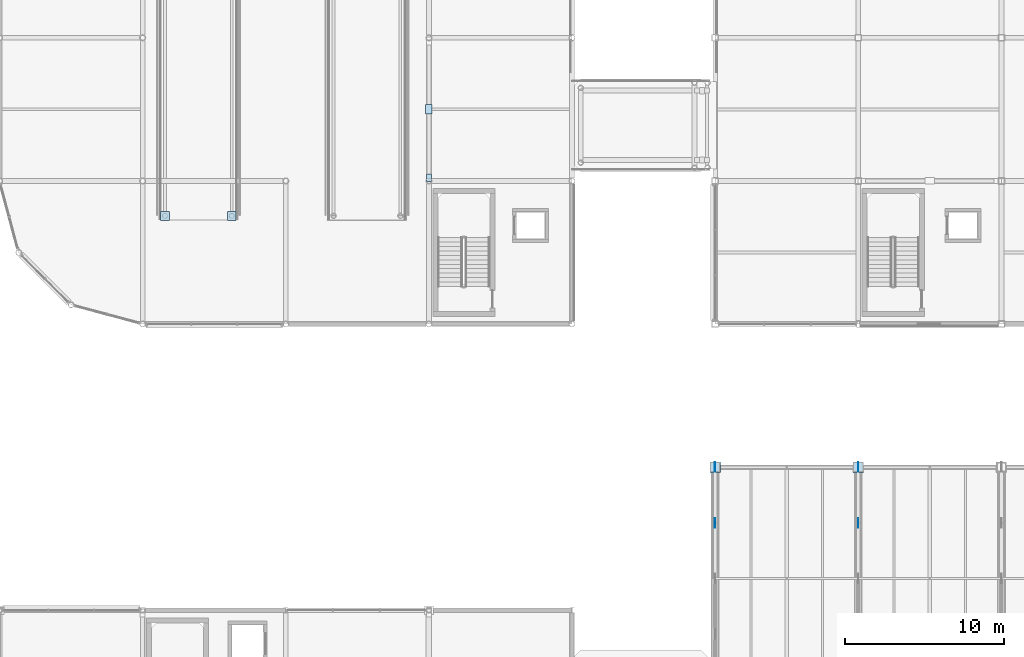
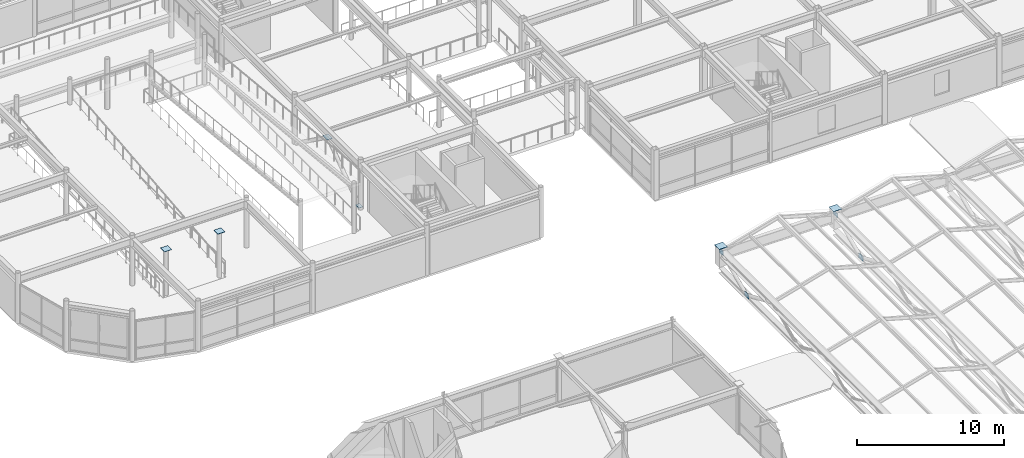
# One storey, part 73 of 108: 10 plates.
"""IFC4 building model written with IfcOpenShell, lengths in metres."""

from ifc_helpers import new_model, si_unit, direction, frame, origin, origin_2d, place, context, subcontext, project, spatial, rectangle, extrude, material, layer, layer_set, type_object, element, save


model = new_model("IFC4")

# Units and contexts
model_context = context("Model", 3, precision=1e-05, world=origin(), true_north=direction((0.0, 1.0)))
body_context = subcontext(model_context, "Body", "Model", "MODEL_VIEW")
ifc_project = project(units=[si_unit("LENGTHUNIT", "METRE"), si_unit("AREAUNIT", "SQUARE_METRE"), si_unit("VOLUMEUNIT", "CUBIC_METRE"), si_unit("PLANEANGLEUNIT", "RADIAN"), si_unit("MASSUNIT", "GRAM", prefix="KILO")], contexts=[model_context])

# Site, building, storey
site_placement = place(None, origin())
site = spatial("IfcSite", under=ifc_project, at=site_placement, CompositionType="ELEMENT")
building_placement = place(site_placement, origin())
building = spatial("IfcBuilding", under=site, at=building_placement, Name="Suzunagisa Mobility Hub", CompositionType="ELEMENT")
storey_placement = place(building_placement, frame((0.0, 0.0, 9.300048828125)))
storey = spatial("IfcBuildingStorey", under=building, at=storey_placement, Name="L02", CompositionType="ELEMENT", Elevation=9.300048828125)

# Plates
ifc_material = material(Name="Steel SN490B", Category="steel")
ifc_layer_1 = layer(ifc_material, 0.02392578125)
ifc_layer_set_1 = layer_set([ifc_layer_1], Name="Steel SN490B")
plate_type_1 = type_object("IfcPlateType", Name="Structural Steel Plate SP-01 550x550x24", PredefinedType="USERDEFINED", material=ifc_layer_set_1)
for number, where, z_axis, x_axis, name in (
    (1, (10.39990234375, 86.800048828125, 3.800048828125), (0.0, 0.0, 1.0), (1.0, 0.0, 0.0), "L02 Column Cap Plate CP-35"),
    (2, (14.60009765625, 86.800048828125, 3.800048828125), (0.0, 0.0, 1.0), (1.0, 0.0, 0.0), "L02 Column Cap Plate CP-38"),
):
    element("IfcPlate", number, at=place(storey_placement, frame(where, z_axis=z_axis, x_axis=x_axis)), inside=storey, type_object=plate_type_1, Name=name, ObjectType="BASE PLATE", PredefinedType="USERDEFINED", context=body_context, shape_type="SweptSolid", body=[
        extrude(rectangle(XDim=0.550048828125, YDim=0.550048828125, at=origin_2d()), origin(), (0.0, 0.0, 1.0), 0.02392578125),
    ])
ifc_layer_2 = layer(ifc_material, 0.028076171875)
ifc_layer_set_2 = layer_set([ifc_layer_2], Name="Steel SN490B")
plate_type_2 = type_object("IfcPlateType", Name="Structural Steel Plate SP-04 480x320x28", PredefinedType="USERDEFINED", material=ifc_layer_set_2)
plate_1_placement = place(storey_placement, frame((27.0, 89.19775390625, 0.10595703125), z_axis=(0.0, 0.0, 1.0), x_axis=(1.0, 0.0, 0.0)))
element("IfcPlate", 3, at=plate_1_placement, inside=storey, type_object=plate_type_2, Name="L02 Brace Foot Gusset Plate FGP-111.1", ObjectType="GUSSET PLATE", PredefinedType="USERDEFINED", context=body_context, shape_type="SweptSolid", body=[
    extrude(rectangle(XDim=0.320068359375, YDim=0.47998046875, at=origin_2d()), origin(), (0.0, 0.0, 1.0), 0.028076171875),
])
ifc_layer_3 = layer(ifc_material, 0.031982421875)
ifc_layer_set_3 = layer_set([ifc_layer_3], Name="Steel SN490B")
plate_type_3 = type_object("IfcPlateType", Name="Structural Steel Plate SP-05 650x650x32", PredefinedType="USERDEFINED", material=ifc_layer_set_3)
for number, where, z_axis, x_axis, name in (
    (4, (45.0, 71.0, 1.5), (0.0, 0.0, 1.0), (1.0, 0.0, 0.0), "L02 Column Cap Plate CP-117"),
    (5, (54.0, 71.0, 1.5), (0.0, 0.0, 1.0), (1.0, 0.0, 0.0), "L02 Column Cap Plate CP-128"),
):
    element("IfcPlate", number, at=place(storey_placement, frame(where, z_axis=z_axis, x_axis=x_axis)), inside=storey, type_object=plate_type_3, Name=name, ObjectType="BASE PLATE", PredefinedType="USERDEFINED", context=body_context, shape_type="SweptSolid", body=[
        extrude(rectangle(XDim=0.64990234375, YDim=0.64990234375, at=origin_2d()), origin(), (0.0, 0.0, 1.0), 0.031982421875),
    ])
ifc_layer_4 = layer(ifc_material, 0.028076171875)
ifc_layer_set_4 = layer_set([ifc_layer_4], Name="Steel SN490B")
plate_type_4 = type_object("IfcPlateType", Name="Structural Steel Plate SP-06 600x400x28", PredefinedType="USERDEFINED", material=ifc_layer_set_4)
for number, where, z_axis, x_axis, name in (
    (6, (45.0, 67.5, -0.646240234375), (0.0, 0.0, 1.0), (1.0, 0.0, 0.0), "Folded-Plate Truss Node Gusset GP-5"),
    (7, (45.0, 71.0, 0.853759765625), (0.0, 0.0, 1.0), (1.0, 0.0, 0.0), "Folded-Plate Truss Top-Chord Node Gusset TGP-11"),
    (8, (54.0, 67.5, -0.646240234375), (0.0, 0.0, 1.0), (1.0, 0.0, 0.0), "Folded-Plate Truss Node Gusset GP-16"),
    (9, (54.0, 71.0, 0.853759765625), (0.0, 0.0, 1.0), (1.0, 0.0, 0.0), "Folded-Plate Truss Top-Chord Node Gusset TGP-22"),
):
    element("IfcPlate", number, at=place(storey_placement, frame(where, z_axis=z_axis, x_axis=x_axis)), inside=storey, type_object=plate_type_4, Name=name, ObjectType="GUSSET PLATE", PredefinedType="USERDEFINED", context=body_context, shape_type="SweptSolid", body=[
        extrude(rectangle(XDim=0.028076171875, YDim=0.60009765625, at=origin_2d()), origin(), (0.0, 0.0, 1.0), 0.39990234375),
    ])
plate_2_placement = place(storey_placement, frame((27.0, 93.5, 3.2216796875), z_axis=(0.0, 0.0, 1.0), x_axis=(1.0, 0.0, 0.0)))
element("IfcPlate", 10, at=plate_2_placement, inside=storey, type_object=plate_type_4, Name="L02 Brace Apex Gusset GP-111", ObjectType="GUSSET PLATE", PredefinedType="USERDEFINED", context=body_context, shape_type="SweptSolid", body=[
    extrude(rectangle(XDim=0.39990234375, YDim=0.60009765625, at=origin_2d()), origin(), (0.0, 0.0, 1.0), 0.028076171875),
])

save(model, "model.ifc")
